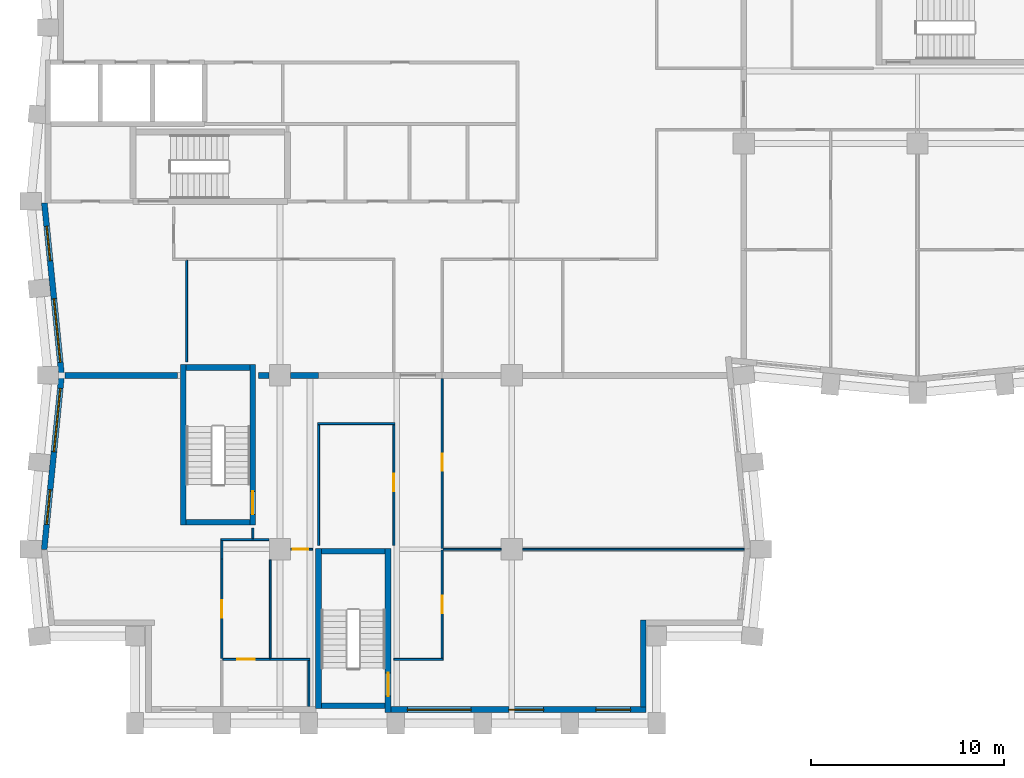
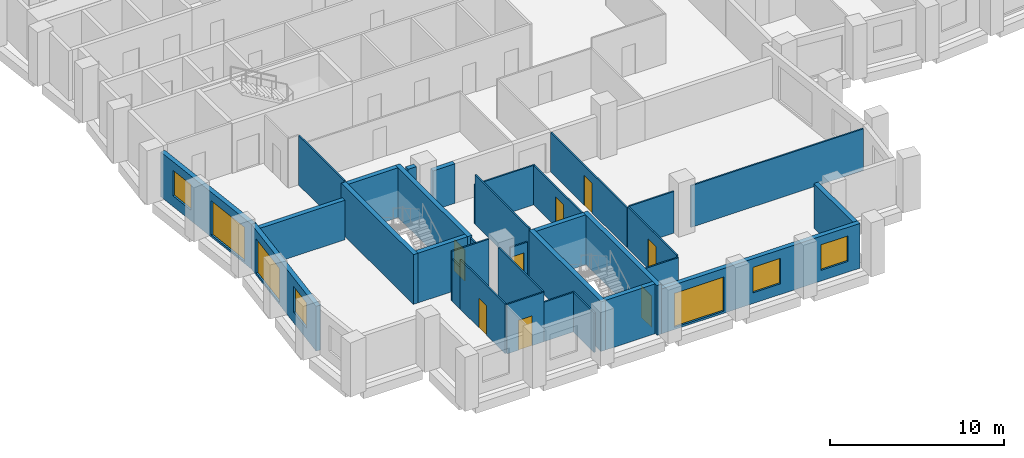
# One storey, part 3 of 10: 33 walls, 8 doors, 7 windows, 15 openings.
"""IFC4 building model written with IfcOpenShell, lengths in metres."""

from ifc_helpers import new_model, si_unit, direction, frame, frame_2d, origin, place, context, subcontext, project, spatial, rectangle, extrude, material, layer, layer_set, type_object, element, fill, save


model = new_model("IFC4")

# Units and contexts
model_context = context("Model", 3, precision=1e-05, world=origin(), true_north=direction((0.0, 1.0)))
body_context = subcontext(model_context, "Body", "Model", "MODEL_VIEW")
ifc_project = project(units=[si_unit("LENGTHUNIT", "METRE"), si_unit("AREAUNIT", "SQUARE_METRE"), si_unit("VOLUMEUNIT", "CUBIC_METRE"), si_unit("PLANEANGLEUNIT", "RADIAN"), si_unit("MASSUNIT", "GRAM", prefix="KILO")], contexts=[model_context])

# Site, building, storey
site_placement = place(None, origin())
site = spatial("IfcSite", under=ifc_project, at=site_placement, CompositionType="ELEMENT")
building_placement = place(site_placement, origin())
building = spatial("IfcBuilding", under=site, at=building_placement, Name="Brondeck Convention Tower", CompositionType="ELEMENT")
storey_placement = place(building_placement, frame((0.0, 0.0, 173.800048828125)))
storey = spatial("IfcBuildingStorey", under=building, at=storey_placement, Name="L42", CompositionType="ELEMENT", Elevation=173.800048828125)

# Walls
ifc_material_1 = material(Name="Concrete compartment wall C30/37", Category="concrete")
ifc_layer_1 = layer(ifc_material_1, 0.300048828125)
ifc_layer_set_1 = layer_set([ifc_layer_1], Name="Compartment wall 300")
wall_type_1 = type_object("IfcWallType", Name="Compartment wall 300", PredefinedType="PARTITIONING", material=ifc_layer_set_1)
wall_1_placement = place(storey_placement, frame((0.8740234375, 27.0, 0.0), z_axis=(0.0, 0.0, 1.0), x_axis=(1.0, 0.0, 0.0)))
element("IfcWall", 1, at=wall_1_placement, inside=storey, type_object=wall_type_1, Name="FLR-L42-W020", PredefinedType="PARTITIONING", context=body_context, shape_type="SweptSolid", body=[
    extrude(rectangle(XDim=5.825927734375, YDim=0.300048828125, at=frame_2d((2.9130859375, 0.0))), origin(), (0.0, 0.0, 1.0), 2.780029296875),
])
wall_2_placement = place(storey_placement, frame((10.89990234375, 27.0, 0.0), z_axis=(0.0, 0.0, 1.0), x_axis=(1.0, 0.0, 0.0)))
element("IfcWall", 2, at=wall_2_placement, inside=storey, type_object=wall_type_1, Name="FLR-L42-W021", PredefinedType="PARTITIONING", context=body_context, shape_type="SweptSolid", body=[
    extrude(rectangle(XDim=0.545166015625, YDim=0.300048828125, at=frame_2d((0.2724609375, 0.0))), origin(), (0.0, 0.0, 1.0), 3.47998046875),
])
wall_3_placement = place(storey_placement, frame((12.554931640625, 27.0, 0.0), z_axis=(0.0, 0.0, 1.0), x_axis=(1.0, 0.0, 0.0)))
element("IfcWall", 3, at=wall_3_placement, inside=storey, type_object=wall_type_1, Name="FLR-L42-W022", PredefinedType="PARTITIONING", context=body_context, shape_type="SweptSolid", body=[
    extrude(rectangle(XDim=1.445068359375, YDim=0.300048828125, at=frame_2d((0.72265625, 0.0))), origin(), (0.0, 0.0, 1.0), 2.780029296875),
])

# Wall, openings, windows
ifc_material_2 = material(Name="Precast concrete C50/60 bronze finish", Category="concrete")
ifc_layer_2 = layer(ifc_material_2, 0.070068359375, Name="Bronze precast facing")
ifc_material_3 = material(Name="Mineral wool")
ifc_layer_3 = layer(ifc_material_3, 0.159912109375, Name="Insulation")
ifc_material_4 = material(Name="Concrete C35/45", Category="concrete")
ifc_layer_4 = layer(ifc_material_4, 0.070068359375, Name="Backing")
ifc_layer_set_2 = layer_set([ifc_layer_2, ifc_layer_3, ifc_layer_4], Name="External infill wall, precast concrete C50/60 bronze facing")
wall_type_2 = type_object("IfcWallType", Name="External infill wall, precast concrete C50/60 bronze facing", PredefinedType="SOLIDWALL", material=ifc_layer_set_2)
wall_4_placement = place(storey_placement, frame((30.949951171875, 9.699951171875, 0.0), z_axis=(0.0, 0.0, 1.0), x_axis=(-1.0, 0.0, 0.0)))
wall_4 = element("IfcWall", 4, at=wall_4_placement, inside=storey, type_object=wall_type_2, Name="ENV-EW-L42-P1-B-S9-04", PredefinedType="SOLIDWALL", context=body_context, shape_type="SweptSolid", body=[
    extrude(rectangle(XDim=13.199951171875, YDim=0.300048828125, at=frame_2d((6.60009765625, 0.0))), origin(), (0.0, 0.0, 1.0), 3.14990234375),
])
opening_1_placement = place(wall_4_placement, frame((0.800048828125, 0.0, 0.75)))
opening_1 = element("IfcOpeningElement", 5, at=opening_1_placement, cuts=wall_4, Name="Opening W10", PredefinedType="OPENING", context=body_context, shape_type="SweptSolid", body=[
    extrude(rectangle(XDim=1.800048828125, YDim=1.800048828125, at=frame_2d((0.89990234375, 0.89990234375))), frame((0.0, 0.159912109375, 0.0), z_axis=(0.0, -1.0, 0.0), x_axis=(1.0, 0.0, 0.0)), (0.0, 0.0, 1.0), 0.320068359375),
])
opening_2_placement = place(wall_4_placement, frame((5.300048828125, 0.0, 0.75)))
opening_2 = element("IfcOpeningElement", 6, at=opening_2_placement, cuts=wall_4, Name="Opening W10", PredefinedType="OPENING", context=body_context, shape_type="SweptSolid", body=[
    extrude(rectangle(XDim=1.800048828125, YDim=1.800048828125, at=frame_2d((0.89990234375, 0.89990234375))), frame((0.0, 0.159912109375, 0.0), z_axis=(0.0, -1.0, 0.0), x_axis=(1.0, 0.0, 0.0)), (0.0, 0.0, 1.0), 0.320068359375),
])
opening_3_placement = place(wall_4_placement, frame((9.050048828125, 0.0, 0.14990234375)))
opening_3 = element("IfcOpeningElement", 7, at=opening_3_placement, cuts=wall_4, Name="Opening W9", PredefinedType="OPENING", context=body_context, shape_type="SweptSolid", body=[
    extrude(rectangle(XDim=3.300048828125, YDim=2.39990234375, at=frame_2d((1.64990234375, 1.199951171875))), frame((0.0, 0.159912109375, 0.0), z_axis=(0.0, -1.0, 0.0), x_axis=(1.0, 0.0, 0.0)), (0.0, 0.0, 1.0), 0.320068359375),
])
ifc_material_5 = material(Name="Bronze tinted double glazing", Category="glass")
window_type_1 = type_object("IfcWindowType", Name="Glazed flute window, bronze tinted", PartitioningType="SINGLE_PANEL", PredefinedType="WINDOW", material=ifc_material_5)
window_1_placement = place(opening_3_placement, origin())
window_1 = element("IfcWindow", 8, at=window_1_placement, inside=storey, type_object=window_type_1, Name="ENV-WN-L42-P1-B-S9-04", OverallHeight=2.39990234375, OverallWidth=3.300048828125, PartitioningType="SINGLE_PANEL", PredefinedType="WINDOW", context=body_context, shape_type="SweptSolid", body=[
    extrude(rectangle(XDim=3.300048828125, YDim=2.39990234375, at=frame_2d((1.64990234375, 1.199951171875))), frame((0.0, 0.030029296875, 0.0), z_axis=(0.0, -1.0, 0.0), x_axis=(1.0, 0.0, 0.0)), (0.0, 0.0, 1.0), 0.06005859375),
])
fill(opening_3, window_1)
window_type_2 = type_object("IfcWindowType", Name="Punched window, bronze tinted", PartitioningType="SINGLE_PANEL", PredefinedType="WINDOW", material=ifc_material_5)
window_2_placement = place(opening_1_placement, origin())
window_2 = element("IfcWindow", 9, at=window_2_placement, inside=storey, type_object=window_type_2, Name="ENV-WN-L42-P1-B-S9-06", OverallHeight=1.800048828125, OverallWidth=1.800048828125, PartitioningType="SINGLE_PANEL", PredefinedType="WINDOW", context=body_context, shape_type="SweptSolid", body=[
    extrude(rectangle(XDim=1.800048828125, YDim=1.800048828125, at=frame_2d((0.89990234375, 0.89990234375))), frame((0.0, 0.030029296875, 0.0), z_axis=(0.0, -1.0, 0.0), x_axis=(1.0, 0.0, 0.0)), (0.0, 0.0, 1.0), 0.06005859375),
])
fill(opening_1, window_2)
window_3_placement = place(opening_2_placement, origin())
window_3 = element("IfcWindow", 10, at=window_3_placement, inside=storey, type_object=window_type_2, Name="ENV-WN-L42-P1-B-S9-05", OverallHeight=1.800048828125, OverallWidth=1.800048828125, PartitioningType="SINGLE_PANEL", PredefinedType="WINDOW", context=body_context, shape_type="SweptSolid", body=[
    extrude(rectangle(XDim=1.800048828125, YDim=1.800048828125, at=frame_2d((0.89990234375, 0.89990234375))), frame((0.0, 0.030029296875, 0.0), z_axis=(0.0, -1.0, 0.0), x_axis=(1.0, 0.0, 0.0)), (0.0, 0.0, 1.0), 0.06005859375),
])
fill(opening_2, window_3)

# Wall
wall_5_placement = place(storey_placement, frame((30.800048828125, 14.35009765625, 0.0), z_axis=(0.0, 0.0, 1.0), x_axis=(0.0, -1.0, 0.0)))
element("IfcWall", 11, at=wall_5_placement, inside=storey, type_object=wall_type_2, Name="ENV-EW-L42-P1-NC-SEB9-01", PredefinedType="SOLIDWALL", context=body_context, shape_type="SweptSolid", body=[
    extrude(rectangle(XDim=4.502197265625, YDim=0.300048828125, at=frame_2d((2.2509765625, 0.0))), origin(), (0.0, 0.0, 1.0), 3.14990234375),
])

# Wall, openings, windows
wall_6_placement = place(storey_placement, frame((0.705078125, 26.985107421875, 0.0), z_axis=(0.0, 0.0, 1.0), x_axis=(-0.099533329093, 0.995034228758, 0.0)))
wall_6 = element("IfcWall", 12, at=wall_6_placement, inside=storey, type_object=wall_type_2, Name="ENV-EW-L42-P1-B-W-06", PredefinedType="SOLIDWALL", context=body_context, shape_type="SweptSolid", body=[
    extrude(rectangle(XDim=8.97998046875, YDim=0.300048828125, at=frame_2d((4.489990234375, 0.0))), origin(), (0.0, 0.0, 1.0), 3.14990234375),
])
opening_4_placement = place(wall_6_placement, frame((0.6962890625, 0.0, 0.14990234375)))
opening_4 = element("IfcOpeningElement", 13, at=opening_4_placement, cuts=wall_6, Name="Opening W9", PredefinedType="OPENING", context=body_context, shape_type="SweptSolid", body=[
    extrude(rectangle(XDim=3.300048828125, YDim=2.39990234375, at=frame_2d((1.64990234375, 1.199951171875))), frame((0.0, 0.159912109375, 0.0), z_axis=(0.0, -1.0, 0.0), x_axis=(1.0, 0.0, 0.0)), (0.0, 0.0, 1.0), 0.320068359375),
])
opening_5_placement = place(wall_6_placement, frame((5.968505859375, 0.0, 0.75)))
opening_5 = element("IfcOpeningElement", 14, at=opening_5_placement, cuts=wall_6, Name="Opening W10", PredefinedType="OPENING", context=body_context, shape_type="SweptSolid", body=[
    extrude(rectangle(XDim=1.800048828125, YDim=1.800048828125, at=frame_2d((0.89990234375, 0.89990234375))), frame((0.0, 0.159912109375, 0.0), z_axis=(0.0, -1.0, 0.0), x_axis=(1.0, 0.0, 0.0)), (0.0, 0.0, 1.0), 0.320068359375),
])
window_4_placement = place(opening_4_placement, origin())
window_4 = element("IfcWindow", 15, at=window_4_placement, inside=storey, type_object=window_type_1, Name="ENV-WN-L42-P1-B-W-07", OverallHeight=2.39990234375, OverallWidth=3.300048828125, PartitioningType="SINGLE_PANEL", PredefinedType="WINDOW", context=body_context, shape_type="SweptSolid", body=[
    extrude(rectangle(XDim=3.300048828125, YDim=2.39990234375, at=frame_2d((1.64990234375, 1.199951171875))), frame((0.0, 0.030029296875, 0.0), z_axis=(0.0, -1.0, 0.0), x_axis=(1.0, 0.0, 0.0)), (0.0, 0.0, 1.0), 0.06005859375),
])
fill(opening_4, window_4)
window_5_placement = place(opening_5_placement, origin())
window_5 = element("IfcWindow", 16, at=window_5_placement, inside=storey, type_object=window_type_2, Name="ENV-WN-L42-P1-B-W-06", OverallHeight=1.800048828125, OverallWidth=1.800048828125, PartitioningType="SINGLE_PANEL", PredefinedType="WINDOW", context=body_context, shape_type="SweptSolid", body=[
    extrude(rectangle(XDim=1.800048828125, YDim=1.800048828125, at=frame_2d((0.89990234375, 0.89990234375))), frame((0.0, 0.030029296875, 0.0), z_axis=(0.0, -1.0, 0.0), x_axis=(1.0, 0.0, 0.0)), (0.0, 0.0, 1.0), 0.06005859375),
])
fill(opening_5, window_5)

wall_7_placement = place(storey_placement, frame((-0.197998046875, 17.985107421875, 0.0), z_axis=(0.0, 0.0, 1.0), x_axis=(0.099495688264, 0.995037993253, 0.0)))
wall_7 = element("IfcWall", 17, at=wall_7_placement, inside=storey, type_object=wall_type_2, Name="ENV-EW-L42-P1-B-W-08", PredefinedType="SOLIDWALL", context=body_context, shape_type="SweptSolid", body=[
    extrude(rectangle(XDim=9.030029296875, YDim=0.300048828125, at=frame_2d((4.51513671875, 0.0))), origin(), (0.0, 0.0, 1.0), 3.14990234375),
])
opening_6_placement = place(wall_7_placement, frame((1.30615234375, 0.0, 0.75)))
opening_6 = element("IfcOpeningElement", 18, at=opening_6_placement, cuts=wall_7, Name="Opening W10", PredefinedType="OPENING", context=body_context, shape_type="SweptSolid", body=[
    extrude(rectangle(XDim=1.800048828125, YDim=1.800048828125, at=frame_2d((0.89990234375, 0.89990234375))), frame((0.0, 0.159912109375, 0.0), z_axis=(0.0, -1.0, 0.0), x_axis=(1.0, 0.0, 0.0)), (0.0, 0.0, 1.0), 0.320068359375),
])
opening_7_placement = place(wall_7_placement, frame((5.07861328125, 0.0, 0.14990234375)))
opening_7 = element("IfcOpeningElement", 19, at=opening_7_placement, cuts=wall_7, Name="Opening W9", PredefinedType="OPENING", context=body_context, shape_type="SweptSolid", body=[
    extrude(rectangle(XDim=3.300048828125, YDim=2.39990234375, at=frame_2d((1.64990234375, 1.199951171875))), frame((0.0, 0.159912109375, 0.0), z_axis=(0.0, -1.0, 0.0), x_axis=(1.0, 0.0, 0.0)), (0.0, 0.0, 1.0), 0.320068359375),
])
window_6_placement = place(opening_7_placement, origin())
window_6 = element("IfcWindow", 20, at=window_6_placement, inside=storey, type_object=window_type_1, Name="ENV-WN-L42-P1-B-W-08", OverallHeight=2.39990234375, OverallWidth=3.300048828125, PartitioningType="SINGLE_PANEL", PredefinedType="WINDOW", context=body_context, shape_type="SweptSolid", body=[
    extrude(rectangle(XDim=3.300048828125, YDim=2.39990234375, at=frame_2d((1.64990234375, 1.199951171875))), frame((0.0, 0.030029296875, 0.0), z_axis=(0.0, -1.0, 0.0), x_axis=(1.0, 0.0, 0.0)), (0.0, 0.0, 1.0), 0.06005859375),
])
fill(opening_7, window_6)
window_7_placement = place(opening_6_placement, origin())
window_7 = element("IfcWindow", 21, at=window_7_placement, inside=storey, type_object=window_type_2, Name="ENV-WN-L42-P1-B-W-09", OverallHeight=1.800048828125, OverallWidth=1.800048828125, PartitioningType="SINGLE_PANEL", PredefinedType="WINDOW", context=body_context, shape_type="SweptSolid", body=[
    extrude(rectangle(XDim=1.800048828125, YDim=1.800048828125, at=frame_2d((0.89990234375, 0.89990234375))), frame((0.0, 0.030029296875, 0.0), z_axis=(0.0, -1.0, 0.0), x_axis=(1.0, 0.0, 0.0)), (0.0, 0.0, 1.0), 0.06005859375),
])
fill(opening_6, window_7)

# Wall
ifc_material_6 = material(Name="Gypsum board partition on steel studs", Category="steel")
ifc_layer_5 = layer(ifc_material_6, 0.10009765625)
ifc_layer_set_3 = layer_set([ifc_layer_5], Name="Room partition 100")
wall_type_3 = type_object("IfcWallType", Name="Room partition 100", PredefinedType="PARTITIONING", material=ifc_layer_set_3)
wall_8_placement = place(storey_placement, frame((13.5, 12.25, 0.0), z_axis=(0.0, 0.0, 1.0), x_axis=(0.0, -1.0, 0.0)))
element("IfcWall", 22, at=wall_8_placement, inside=storey, type_object=wall_type_3, Name="FLR-L42-W003", PredefinedType="PARTITIONING", context=body_context, shape_type="SweptSolid", body=[
    extrude(rectangle(XDim=2.3798828125, YDim=0.10009765625, at=frame_2d((1.18994140625, 0.0))), origin(), (0.0, 0.0, 1.0), 2.780029296875),
])

# Wall, opening, door
wall_9_placement = place(storey_placement, frame((11.5, 12.300048828125, 0.0), z_axis=(0.0, 0.0, 1.0), x_axis=(-1.0, 0.0, 0.0)))
wall_9 = element("IfcWall", 23, at=wall_9_placement, inside=storey, type_object=wall_type_3, Name="FLR-L42-W004", PredefinedType="PARTITIONING", context=body_context, shape_type="SweptSolid", body=[
    extrude(rectangle(XDim=2.449951171875, YDim=0.10009765625, at=frame_2d((1.22509765625, 0.0))), origin(), (0.0, 0.0, 1.0), 3.47998046875),
])
opening_8_placement = place(wall_9_placement, frame((0.800048828125, 0.0, 0.0)))
opening_8 = element("IfcOpeningElement", 24, at=opening_8_placement, cuts=wall_9, Name="Opening OF-H-001", PredefinedType="OPENING", context=body_context, shape_type="SweptSolid", body=[
    extrude(rectangle(XDim=0.89990234375, YDim=2.10009765625, at=frame_2d((0.449951171875, 1.050048828125))), frame((0.0, 0.06005859375, 0.0), z_axis=(0.0, -1.0, 0.0), x_axis=(1.0, 0.0, 0.0)), (0.0, 0.0, 1.0), 0.1201171875),
])
ifc_material_7 = material(Name="Solid timber door leaf", Category="wood")
door_type_1 = type_object("IfcDoorType", Name="Single door 900", OperationType="NOTDEFINED", PredefinedType="DOOR", material=ifc_material_7)
door_1_placement = place(opening_8_placement, origin())
door_1 = element("IfcDoor", 25, at=door_1_placement, inside=storey, type_object=door_type_1, Name="Door OF-H-001", OperationType="SINGLE_SWING_RIGHT", OverallHeight=2.10009765625, OverallWidth=0.89990234375, PredefinedType="DOOR", context=body_context, shape_type="SweptSolid", body=[
    extrude(rectangle(XDim=0.89990234375, YDim=2.10009765625, at=frame_2d((0.449951171875, 1.050048828125))), frame((0.0, 0.02490234375, 0.0), z_axis=(0.0, -1.0, 0.0), x_axis=(1.0, 0.0, 0.0)), (0.0, 0.0, 1.0), 0.050048828125),
])
fill(opening_8, door_1)

# Walls
wall_10_placement = place(storey_placement, frame((11.5, 12.300048828125, 0.0), z_axis=(0.0, 0.0, 1.0), x_axis=(1.0, 0.0, 0.0)))
element("IfcWall", 26, at=wall_10_placement, inside=storey, type_object=wall_type_3, Name="FLR-L42-W005", PredefinedType="PARTITIONING", context=body_context, shape_type="SweptSolid", body=[
    extrude(rectangle(XDim=2.050048828125, YDim=0.10009765625, at=frame_2d((1.02490234375, 0.0))), origin(), (0.0, 0.0, 1.0), 2.780029296875),
])
wall_11_placement = place(storey_placement, frame((20.449951171875, 12.300048828125, 0.0), z_axis=(0.0, 0.0, 1.0), x_axis=(-1.0, 0.0, 0.0)))
element("IfcWall", 27, at=wall_11_placement, inside=storey, type_object=wall_type_3, Name="FLR-L42-W006", PredefinedType="PARTITIONING", context=body_context, shape_type="SweptSolid", body=[
    extrude(rectangle(XDim=2.550048828125, YDim=0.10009765625, at=frame_2d((1.27490234375, 0.0))), origin(), (0.0, 0.0, 1.0), 2.780029296875),
])

# Wall, opening, door
wall_12_placement = place(storey_placement, frame((9.0, 12.35009765625, 0.0), z_axis=(0.0, 0.0, 1.0), x_axis=(0.0, 1.0, 0.0)))
wall_12 = element("IfcWall", 28, at=wall_12_placement, inside=storey, type_object=wall_type_3, Name="FLR-L42-W007", PredefinedType="PARTITIONING", context=body_context, shape_type="SweptSolid", body=[
    extrude(rectangle(XDim=5.14990234375, YDim=0.10009765625, at=frame_2d((2.574951171875, 0.0))), origin(), (0.0, 0.0, 1.0), 3.47998046875),
])
opening_9_placement = place(wall_12_placement, frame((2.10009765625, 0.0, 0.0)))
opening_9 = element("IfcOpeningElement", 29, at=opening_9_placement, cuts=wall_12, Name="Opening OF-H-014", PredefinedType="OPENING", context=body_context, shape_type="SweptSolid", body=[
    extrude(rectangle(XDim=0.89990234375, YDim=2.10009765625, at=frame_2d((0.449951171875, 1.050048828125))), frame((0.0, 0.06005859375, 0.0), z_axis=(0.0, -1.0, 0.0), x_axis=(1.0, 0.0, 0.0)), (0.0, 0.0, 1.0), 0.1201171875),
])
door_2_placement = place(opening_9_placement, origin())
door_2 = element("IfcDoor", 30, at=door_2_placement, inside=storey, type_object=door_type_1, Name="Door OF-H-014", OperationType="SINGLE_SWING_RIGHT", OverallHeight=2.10009765625, OverallWidth=0.89990234375, PredefinedType="DOOR", context=body_context, shape_type="SweptSolid", body=[
    extrude(rectangle(XDim=0.89990234375, YDim=2.10009765625, at=frame_2d((0.449951171875, 1.050048828125))), frame((0.0, 0.02490234375, 0.0), z_axis=(0.0, -1.0, 0.0), x_axis=(1.0, 0.0, 0.0)), (0.0, 0.0, 1.0), 0.050048828125),
])
fill(opening_9, door_2)

# Walls
wall_13_placement = place(storey_placement, frame((11.5, 17.445068359375, 0.0), z_axis=(0.0, 0.0, 1.0), x_axis=(0.0, -1.0, 0.0)))
element("IfcWall", 31, at=wall_13_placement, inside=storey, type_object=wall_type_3, Name="FLR-L42-W008", PredefinedType="PARTITIONING", context=body_context, shape_type="SweptSolid", body=[
    extrude(rectangle(XDim=5.094970703125, YDim=0.10009765625, at=frame_2d((2.54736328125, 0.0))), origin(), (0.0, 0.0, 1.0), 3.47998046875),
])
wall_14_placement = place(storey_placement, frame((9.0, 17.5, 0.0), z_axis=(0.0, 0.0, 1.0), x_axis=(0.0, 1.0, 0.0)))
element("IfcWall", 32, at=wall_14_placement, inside=storey, type_object=wall_type_3, Name="FLR-L42-W009", PredefinedType="PARTITIONING", context=body_context, shape_type="SweptSolid", body=[
    extrude(rectangle(XDim=0.949951171875, YDim=0.10009765625, at=frame_2d((0.47509765625, 0.0))), origin(), (0.0, 0.0, 1.0), 2.929931640625),
])

# Wall, opening, door
wall_15_placement = place(storey_placement, frame((20.39990234375, 17.949951171875, 0.0), z_axis=(0.0, 0.0, 1.0), x_axis=(0.0, -1.0, 0.0)))
wall_15 = element("IfcWall", 33, at=wall_15_placement, inside=storey, type_object=wall_type_3, Name="FLR-L42-W010", PredefinedType="PARTITIONING", context=body_context, shape_type="SweptSolid", body=[
    extrude(rectangle(XDim=5.599853515625, YDim=0.10009765625, at=frame_2d((2.7998046875, 0.0))), origin(), (0.0, 0.0, 1.0), 2.929931640625),
])
opening_10_placement = place(wall_15_placement, frame((2.35009765625, 0.0, 0.0)))
opening_10 = element("IfcOpeningElement", 34, at=opening_10_placement, cuts=wall_15, Name="Opening OF-H-013", PredefinedType="OPENING", context=body_context, shape_type="SweptSolid", body=[
    extrude(rectangle(XDim=0.89990234375, YDim=2.10009765625, at=frame_2d((0.449951171875, 1.050048828125))), frame((0.0, 0.06005859375, 0.0), z_axis=(0.0, -1.0, 0.0), x_axis=(1.0, 0.0, 0.0)), (0.0, 0.0, 1.0), 0.1201171875),
])
door_3_placement = place(opening_10_placement, origin())
door_3 = element("IfcDoor", 35, at=door_3_placement, inside=storey, type_object=door_type_1, Name="Door OF-H-013", OperationType="SINGLE_SWING_LEFT", OverallHeight=2.10009765625, OverallWidth=0.89990234375, PredefinedType="DOOR", context=body_context, shape_type="SweptSolid", body=[
    extrude(rectangle(XDim=0.89990234375, YDim=2.10009765625, at=frame_2d((0.449951171875, 1.050048828125))), frame((0.0, 0.02490234375, 0.0), z_axis=(0.0, -1.0, 0.0), x_axis=(1.0, 0.0, 0.0)), (0.0, 0.0, 1.0), 0.050048828125),
])
fill(opening_10, door_3)

wall_16_placement = place(storey_placement, frame((13.699951171875, 18.0, 0.0), z_axis=(0.0, 0.0, 1.0), x_axis=(-1.0, 0.0, 0.0)))
wall_16 = element("IfcWall", 36, at=wall_16_placement, inside=storey, type_object=wall_type_3, Name="FLR-L42-W011", PredefinedType="PARTITIONING", context=body_context, shape_type="SweptSolid", body=[
    extrude(rectangle(XDim=1.14501953125, YDim=0.10009765625, at=frame_2d((0.572509765625, 0.0))), origin(), (0.0, 0.0, 1.0), 2.780029296875),
])
opening_11_placement = place(wall_16_placement, frame((0.2451171875, 0.0, 0.0)))
opening_11 = element("IfcOpeningElement", 37, at=opening_11_placement, cuts=wall_16, Name="Opening OF-H-004", PredefinedType="OPENING", context=body_context, shape_type="SweptSolid", body=[
    extrude(rectangle(XDim=0.800048828125, YDim=2.10009765625, at=frame_2d((0.39990234375, 1.050048828125))), frame((0.0, 0.06005859375, 0.0), z_axis=(0.0, -1.0, 0.0), x_axis=(1.0, 0.0, 0.0)), (0.0, 0.0, 1.0), 0.1201171875),
])
ifc_material_8 = material(Name="Steel service door leaf", Category="steel")
door_type_2 = type_object("IfcDoorType", Name="Service door 800", OperationType="NOTDEFINED", PredefinedType="DOOR", material=ifc_material_8)
door_4_placement = place(opening_11_placement, origin())
door_4 = element("IfcDoor", 38, at=door_4_placement, inside=storey, type_object=door_type_2, Name="Door OF-H-004", OperationType="SINGLE_SWING_LEFT", OverallHeight=2.10009765625, OverallWidth=0.800048828125, PredefinedType="DOOR", context=body_context, shape_type="SweptSolid", body=[
    extrude(rectangle(XDim=0.800048828125, YDim=2.10009765625, at=frame_2d((0.39990234375, 1.050048828125))), frame((0.0, 0.02490234375, 0.0), z_axis=(0.0, -1.0, 0.0), x_axis=(1.0, 0.0, 0.0)), (0.0, 0.0, 1.0), 0.050048828125),
])
fill(opening_11, door_4)

# Walls
wall_17_placement = place(storey_placement, frame((23.445068359375, 18.0, 0.0), z_axis=(0.0, 0.0, 1.0), x_axis=(-1.0, 0.0, 0.0)))
element("IfcWall", 39, at=wall_17_placement, inside=storey, type_object=wall_type_3, Name="FLR-L42-W012", PredefinedType="PARTITIONING", context=body_context, shape_type="SweptSolid", body=[
    extrude(rectangle(XDim=2.9951171875, YDim=0.10009765625, at=frame_2d((1.49755859375, 0.0))), origin(), (0.0, 0.0, 1.0), 2.929931640625),
])
wall_18_placement = place(storey_placement, frame((36.02587890625, 18.0, 0.0), z_axis=(0.0, 0.0, 1.0), x_axis=(-1.0, 0.0, 0.0)))
element("IfcWall", 40, at=wall_18_placement, inside=storey, type_object=wall_type_3, Name="FLR-L42-W013", PredefinedType="PARTITIONING", context=body_context, shape_type="SweptSolid", body=[
    extrude(rectangle(XDim=11.470947265625, YDim=0.10009765625, at=frame_2d((5.7353515625, 0.0))), origin(), (0.0, 0.0, 1.0), 2.929931640625),
])

# Wall, opening, door
wall_19_placement = place(storey_placement, frame((17.89990234375, 18.199951171875, 0.0), z_axis=(0.0, 0.0, 1.0), x_axis=(0.0, 1.0, 0.0)))
wall_19 = element("IfcWall", 41, at=wall_19_placement, inside=storey, type_object=wall_type_3, Name="FLR-L42-W014", PredefinedType="PARTITIONING", context=body_context, shape_type="SweptSolid", body=[
    extrude(rectangle(XDim=6.25, YDim=0.10009765625, at=frame_2d((3.125, 0.0))), origin(), (0.0, 0.0, 1.0), 2.780029296875),
])
opening_12_placement = place(wall_19_placement, frame((2.800048828125, 0.0, 0.0)))
opening_12 = element("IfcOpeningElement", 42, at=opening_12_placement, cuts=wall_19, Name="Opening OF-H-003", PredefinedType="OPENING", context=body_context, shape_type="SweptSolid", body=[
    extrude(rectangle(XDim=0.89990234375, YDim=2.10009765625, at=frame_2d((0.449951171875, 1.050048828125))), frame((0.0, 0.06005859375, 0.0), z_axis=(0.0, -1.0, 0.0), x_axis=(1.0, 0.0, 0.0)), (0.0, 0.0, 1.0), 0.1201171875),
])
door_5_placement = place(opening_12_placement, origin())
door_5 = element("IfcDoor", 43, at=door_5_placement, inside=storey, type_object=door_type_1, Name="Door OF-H-003", OperationType="SINGLE_SWING_LEFT", OverallHeight=2.10009765625, OverallWidth=0.89990234375, PredefinedType="DOOR", context=body_context, shape_type="SweptSolid", body=[
    extrude(rectangle(XDim=0.89990234375, YDim=2.10009765625, at=frame_2d((0.449951171875, 1.050048828125))), frame((0.0, 0.02490234375, 0.0), z_axis=(0.0, -1.0, 0.0), x_axis=(1.0, 0.0, 0.0)), (0.0, 0.0, 1.0), 0.050048828125),
])
fill(opening_12, door_5)

# Walls
wall_20_placement = place(storey_placement, frame((8.949951171875, 18.5, 0.0), z_axis=(0.0, 0.0, 1.0), x_axis=(1.0, 0.0, 0.0)))
element("IfcWall", 44, at=wall_20_placement, inside=storey, type_object=wall_type_3, Name="FLR-L42-W015", PredefinedType="PARTITIONING", context=body_context, shape_type="SweptSolid", body=[
    extrude(rectangle(XDim=2.47998046875, YDim=0.10009765625, at=frame_2d((1.239990234375, 0.0))), origin(), (0.0, 0.0, 1.0), 3.47998046875),
])
wall_21_placement = place(storey_placement, frame((10.60009765625, 18.550048828125, 0.0), z_axis=(0.0, 0.0, 1.0), x_axis=(0.0, 1.0, 0.0)))
element("IfcWall", 45, at=wall_21_placement, inside=storey, type_object=wall_type_3, Name="FLR-L42-W016", PredefinedType="PARTITIONING", context=body_context, shape_type="SweptSolid", body=[
    extrude(rectangle(XDim=0.550048828125, YDim=0.10009765625, at=frame_2d((0.27490234375, 0.0))), origin(), (0.0, 0.0, 1.0), 3.47998046875),
])
wall_22_placement = place(storey_placement, frame((14.0, 24.449951171875, 0.0), z_axis=(0.0, 0.0, 1.0), x_axis=(0.0, -1.0, 0.0)))
element("IfcWall", 46, at=wall_22_placement, inside=storey, type_object=wall_type_3, Name="FLR-L42-W017", PredefinedType="PARTITIONING", context=body_context, shape_type="SweptSolid", body=[
    extrude(rectangle(XDim=6.25, YDim=0.10009765625, at=frame_2d((3.125, 0.0))), origin(), (0.0, 0.0, 1.0), 3.47998046875),
])
wall_23_placement = place(storey_placement, frame((17.949951171875, 24.5, 0.0), z_axis=(0.0, 0.0, 1.0), x_axis=(-1.0, 0.0, 0.0)))
element("IfcWall", 47, at=wall_23_placement, inside=storey, type_object=wall_type_3, Name="FLR-L42-W018", PredefinedType="PARTITIONING", context=body_context, shape_type="SweptSolid", body=[
    extrude(rectangle(XDim=4.0, YDim=0.10009765625, at=frame_2d((2.0, 0.0))), origin(), (0.0, 0.0, 1.0), 2.780029296875),
])

# Wall, opening, door
wall_24_placement = place(storey_placement, frame((20.39990234375, 26.830078125, 0.0), z_axis=(0.0, 0.0, 1.0), x_axis=(0.0, -1.0, 0.0)))
wall_24 = element("IfcWall", 48, at=wall_24_placement, inside=storey, type_object=wall_type_3, Name="FLR-L42-W019", PredefinedType="PARTITIONING", context=body_context, shape_type="SweptSolid", body=[
    extrude(rectangle(XDim=8.780029296875, YDim=0.10009765625, at=frame_2d((4.39013671875, 0.0))), origin(), (0.0, 0.0, 1.0), 2.780029296875),
])
opening_13_placement = place(wall_24_placement, frame((3.8798828125, 0.0, 0.0)))
opening_13 = element("IfcOpeningElement", 49, at=opening_13_placement, cuts=wall_24, Name="Opening OF-H-012", PredefinedType="OPENING", context=body_context, shape_type="SweptSolid", body=[
    extrude(rectangle(XDim=0.89990234375, YDim=2.10009765625, at=frame_2d((0.449951171875, 1.050048828125))), frame((0.0, 0.06005859375, 0.0), z_axis=(0.0, -1.0, 0.0), x_axis=(1.0, 0.0, 0.0)), (0.0, 0.0, 1.0), 0.1201171875),
])
door_6_placement = place(opening_13_placement, origin())
door_6 = element("IfcDoor", 50, at=door_6_placement, inside=storey, type_object=door_type_1, Name="Door OF-H-012", OperationType="SINGLE_SWING_LEFT", OverallHeight=2.10009765625, OverallWidth=0.89990234375, PredefinedType="DOOR", context=body_context, shape_type="SweptSolid", body=[
    extrude(rectangle(XDim=0.89990234375, YDim=2.10009765625, at=frame_2d((0.449951171875, 1.050048828125))), frame((0.0, 0.02490234375, 0.0), z_axis=(0.0, -1.0, 0.0), x_axis=(1.0, 0.0, 0.0)), (0.0, 0.0, 1.0), 0.050048828125),
])
fill(opening_13, door_6)

# Walls
wall_25_placement = place(storey_placement, frame((7.172119140625, 32.949951171875, 0.0), z_axis=(0.0, 0.0, 1.0), x_axis=(0.0, -1.0, 0.0)))
element("IfcWall", 51, at=wall_25_placement, inside=storey, type_object=wall_type_3, Name="FLR-L42-W031", PredefinedType="PARTITIONING", context=body_context, shape_type="SweptSolid", body=[
    extrude(rectangle(XDim=5.25, YDim=0.10009765625, at=frame_2d((2.625, 0.0))), origin(), (0.0, 0.0, 1.0), 3.47998046875),
])
ifc_material_9 = material(Name="Concrete C70/85", Category="concrete")
ifc_layer_6 = layer(ifc_material_9, 0.300048828125)
ifc_layer_set_4 = layer_set([ifc_layer_6], Name="Stair enclosure wall 300 Concrete C70/85")
wall_type_4 = type_object("IfcWallType", Name="Stair enclosure wall 300 Concrete C70/85", PredefinedType="SHEAR", material=ifc_layer_set_4)
for number, where, z_axis, x_axis, name in (
    (52, (14.14990234375, 9.89990234375, 0.0), (0.0, 0.0, 1.0), (1.0, 0.0, 0.0), "L42 core wall"),
    (53, (14.14990234375, 17.89990234375, 0.0), (0.0, 0.0, 1.0), (1.0, 0.0, 0.0), "L42 core wall"),
    (54, (7.14990234375, 19.39990234375, 0.0), (0.0, 0.0, 1.0), (1.0, 0.0, 0.0), "L42 core wall"),
    (55, (7.14990234375, 27.39990234375, 0.0), (0.0, 0.0, 1.0), (1.0, 0.0, 0.0), "L42 core wall"),
):
    element("IfcWall", number, at=place(storey_placement, frame(where, z_axis=z_axis, x_axis=x_axis)), inside=storey, type_object=wall_type_4, Name=name, PredefinedType="SHEAR", context=body_context, shape_type="SweptSolid", body=[
        extrude(rectangle(XDim=3.300048828125, YDim=0.300048828125, at=frame_2d((1.64990234375, 0.0))), origin(), (0.0, 0.0, 1.0), 3.5),
    ])
wall_26_placement = place(storey_placement, frame((7.0, 19.25, 0.0), z_axis=(0.0, 0.0, 1.0), x_axis=(0.0, 1.0, 0.0)))
element("IfcWall", 56, at=wall_26_placement, inside=storey, type_object=wall_type_4, Name="L42 core wall", PredefinedType="SHEAR", context=body_context, shape_type="SweptSolid", body=[
    extrude(rectangle(XDim=8.300048828125, YDim=0.300048828125, at=frame_2d((4.14990234375, 0.0))), origin(), (0.0, 0.0, 1.0), 3.5),
])

# Wall, opening, door
wall_27_placement = place(storey_placement, frame((10.60009765625, 19.25, 0.0), z_axis=(0.0, 0.0, 1.0), x_axis=(0.0, 1.0, 0.0)))
wall_27 = element("IfcWall", 57, at=wall_27_placement, inside=storey, type_object=wall_type_4, Name="L42 core wall", PredefinedType="SHEAR", context=body_context, shape_type="SweptSolid", body=[
    extrude(rectangle(XDim=8.300048828125, YDim=0.300048828125, at=frame_2d((4.14990234375, 0.0))), origin(), (0.0, 0.0, 1.0), 3.5),
])
opening_14_placement = place(wall_27_placement, frame((0.550048828125, 0.0, 0.0)))
opening_14 = element("IfcOpeningElement", 58, at=opening_14_placement, cuts=wall_27, Name="Opening C23-19", PredefinedType="OPENING", context=body_context, shape_type="SweptSolid", body=[
    extrude(rectangle(XDim=1.199951171875, YDim=2.199951171875, at=frame_2d((0.60009765625, 1.10009765625))), frame((0.0, 0.159912109375, 0.0), z_axis=(0.0, -1.0, 0.0), x_axis=(1.0, 0.0, 0.0)), (0.0, 0.0, 1.0), 0.320068359375),
])
ifc_material_10 = material(Name="Steel fire door", Category="steel")
door_type_3 = type_object("IfcDoorType", Name="Stair door 1200x2200 EI 90", OperationType="NOTDEFINED", PredefinedType="DOOR", material=ifc_material_10)
door_7_placement = place(opening_14_placement, origin())
door_7 = element("IfcDoor", 59, at=door_7_placement, inside=storey, type_object=door_type_3, Name="L42 Stair door ST-BE", OperationType="SINGLE_SWING_RIGHT", OverallHeight=2.199951171875, OverallWidth=1.199951171875, PredefinedType="DOOR", context=body_context, shape_type="SweptSolid", body=[
    extrude(rectangle(XDim=1.199951171875, YDim=2.199951171875, at=frame_2d((0.60009765625, 1.10009765625))), frame((0.0, 0.02490234375, 0.0), z_axis=(0.0, -1.0, 0.0), x_axis=(1.0, 0.0, 0.0)), (0.0, 0.0, 1.0), 0.050048828125),
])
fill(opening_14, door_7)

# Wall
wall_28_placement = place(storey_placement, frame((14.0, 9.75, 0.0), z_axis=(0.0, 0.0, 1.0), x_axis=(0.0, 1.0, 0.0)))
element("IfcWall", 60, at=wall_28_placement, inside=storey, type_object=wall_type_4, Name="L42 core wall", PredefinedType="SHEAR", context=body_context, shape_type="SweptSolid", body=[
    extrude(rectangle(XDim=8.300048828125, YDim=0.300048828125, at=frame_2d((4.14990234375, 0.0))), origin(), (0.0, 0.0, 1.0), 3.5),
])

# Wall, opening, door
wall_29_placement = place(storey_placement, frame((17.60009765625, 9.550048828125, 0.0), z_axis=(0.0, 0.0, 1.0), x_axis=(0.0, 1.0, 0.0)))
wall_29 = element("IfcWall", 61, at=wall_29_placement, inside=storey, type_object=wall_type_4, Name="L42 core wall", PredefinedType="SHEAR", context=body_context, shape_type="SweptSolid", body=[
    extrude(rectangle(XDim=8.5, YDim=0.300048828125, at=frame_2d((4.25, 0.0))), origin(), (0.0, 0.0, 1.0), 3.5),
])
opening_15_placement = place(wall_29_placement, frame((0.85009765625, 0.0, 0.0)))
opening_15 = element("IfcOpeningElement", 62, at=opening_15_placement, cuts=wall_29, Name="Opening C23-20", PredefinedType="OPENING", context=body_context, shape_type="SweptSolid", body=[
    extrude(rectangle(XDim=1.199951171875, YDim=2.199951171875, at=frame_2d((0.60009765625, 1.10009765625))), frame((0.0, 0.159912109375, 0.0), z_axis=(0.0, -1.0, 0.0), x_axis=(1.0, 0.0, 0.0)), (0.0, 0.0, 1.0), 0.320068359375),
])
door_8_placement = place(opening_15_placement, origin())
door_8 = element("IfcDoor", 63, at=door_8_placement, inside=storey, type_object=door_type_3, Name="L42 Stair door ST-BF", OperationType="SINGLE_SWING_LEFT", OverallHeight=2.199951171875, OverallWidth=1.199951171875, PredefinedType="DOOR", context=body_context, shape_type="SweptSolid", body=[
    extrude(rectangle(XDim=1.199951171875, YDim=2.199951171875, at=frame_2d((0.60009765625, 1.10009765625))), frame((0.0, 0.02490234375, 0.0), z_axis=(0.0, -1.0, 0.0), x_axis=(1.0, 0.0, 0.0)), (0.0, 0.0, 1.0), 0.050048828125),
])
fill(opening_15, door_8)

save(model, "model.ifc")
